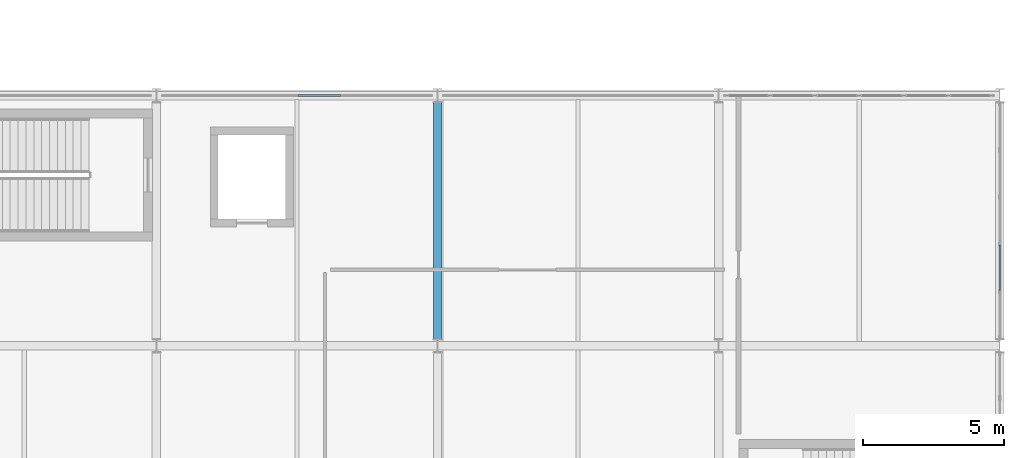
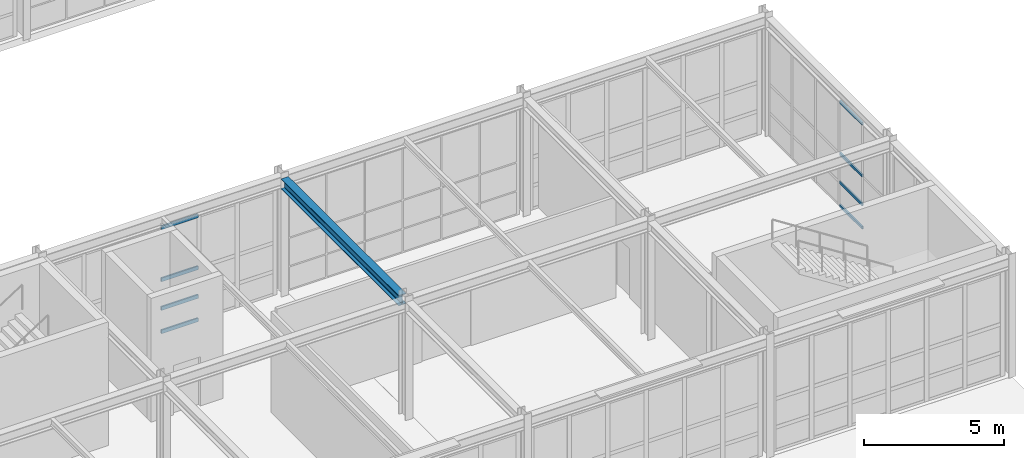
# One storey, part 104 of 210: 8 members, 1 beam, 2 elements without a shape of their own.
"""IFC4 building model written with IfcOpenShell, lengths in metres."""

from ifc_helpers import new_model, si_unit, direction, frame, origin, origin_2d, place, context, subcontext, project, spatial, hollow_rectangle, i_section, extrude, material, material_profile, profile_set, type_object, element, aggregate, save


model = new_model("IFC4")

# Units and contexts
model_context = context("Model", 3, precision=1e-05, world=origin(), true_north=direction((0.0, 1.0)))
body_context = subcontext(model_context, "Body", "Model", "MODEL_VIEW")
ifc_project = project(units=[si_unit("LENGTHUNIT", "METRE"), si_unit("AREAUNIT", "SQUARE_METRE"), si_unit("VOLUMEUNIT", "CUBIC_METRE"), si_unit("PLANEANGLEUNIT", "RADIAN"), si_unit("MASSUNIT", "GRAM", prefix="KILO")], contexts=[model_context])

# Site, building, storey
site_placement = place(None, origin())
site = spatial("IfcSite", under=ifc_project, at=site_placement, CompositionType="ELEMENT")
building_placement = place(site_placement, origin())
building = spatial("IfcBuilding", under=site, at=building_placement, Name="Kaldris Quays Convention Centre", CompositionType="ELEMENT")
storey_placement = place(building_placement, frame((0.0, 0.0, 6.0)))
storey = spatial("IfcBuildingStorey", under=building, at=storey_placement, Name="L01", CompositionType="ELEMENT", Elevation=6.0)

# Curtain wall, members
ifc_material_1 = material(Name="Anodized aluminium AW-6060 and triple glazing", Category="aluminium")
curtain_wall_type = type_object("IfcCurtainWallType", Name="UNITISED CURTAIN WALL CW02", PredefinedType="NOTDEFINED", material=ifc_material_1)
curtain_wall_1_placement = place(storey_placement, origin())
curtain_wall_1 = element("IfcCurtainWall", 1, at=curtain_wall_1_placement, inside=storey, type_object=curtain_wall_type, Name="L01 Unitised Curtain Wall CW02 198", PredefinedType="NOTDEFINED")
ifc_material_2 = material(Name="Anodized aluminium AW-6060", Category="aluminium")
ifc_material_profile_1 = material_profile(ifc_material_2, hollow_rectangle(XDim=0.06005859375, YDim=0.1201171875, WallThickness=0.00390625, at=origin_2d()), Name="RHS 120x60x4")
ifc_profile_set_1 = profile_set([ifc_material_profile_1], Name="Anodized aluminium AW-6060")
member_type_1 = type_object("IfcMemberType", Name="CURTAIN TRANSOM CWT1", PredefinedType="USERDEFINED", material=ifc_profile_set_1)
member_1_placement = place(storey_placement, frame((204.0, 30.4599609375, 0.030029296875), z_axis=(0.0, 1.0, 0.0), x_axis=(-1.0, 0.0, 0.0)))
member_1 = element("IfcMember", 2, at=member_1_placement, type_object=member_type_1, Name="CW02 transom 2.1", ObjectType="TRANSOM", PredefinedType="USERDEFINED", context=body_context, shape_type="SweptSolid", body=[
    extrude(hollow_rectangle(XDim=0.06005859375, YDim=0.1201171875, WallThickness=0.00390625, at=origin_2d()), origin(), (0.0, 0.0, 1.0), 1.6201171875),
])
member_2_placement = place(storey_placement, frame((204.0, 30.4599609375, 1.050048828125), z_axis=(0.0, 1.0, 0.0), x_axis=(-1.0, 0.0, 0.0)))
member_2 = element("IfcMember", 3, at=member_2_placement, type_object=member_type_1, Name="CW02 transom 2.2", ObjectType="TRANSOM", PredefinedType="USERDEFINED", context=body_context, shape_type="SweptSolid", body=[
    extrude(hollow_rectangle(XDim=0.06005859375, YDim=0.1201171875, WallThickness=0.00390625, at=origin_2d()), origin(), (0.0, 0.0, 1.0), 1.6201171875),
])
member_3_placement = place(storey_placement, frame((204.0, 30.4599609375, 2.300048828125), z_axis=(0.0, 1.0, 0.0), x_axis=(-1.0, 0.0, 0.0)))
member_3 = element("IfcMember", 4, at=member_3_placement, type_object=member_type_1, Name="CW02 transom 2.3", ObjectType="TRANSOM", PredefinedType="USERDEFINED", context=body_context, shape_type="SweptSolid", body=[
    extrude(hollow_rectangle(XDim=0.06005859375, YDim=0.1201171875, WallThickness=0.00390625, at=origin_2d()), origin(), (0.0, 0.0, 1.0), 1.6201171875),
])
member_4_placement = place(storey_placement, frame((204.0, 30.4599609375, 4.570068359375), z_axis=(0.0, 1.0, 0.0), x_axis=(-1.0, 0.0, 0.0)))
member_4 = element("IfcMember", 5, at=member_4_placement, type_object=member_type_1, Name="CW02 transom 2.4", ObjectType="TRANSOM", PredefinedType="USERDEFINED", context=body_context, shape_type="SweptSolid", body=[
    extrude(hollow_rectangle(XDim=0.06005859375, YDim=0.1201171875, WallThickness=0.00390625, at=origin_2d()), origin(), (0.0, 0.0, 1.0), 1.6201171875),
])
aggregate(curtain_wall_1, [member_1, member_2, member_3, member_4])

curtain_wall_2_placement = place(storey_placement, origin())
curtain_wall_2 = element("IfcCurtainWall", 6, at=curtain_wall_2_placement, inside=storey, type_object=curtain_wall_type, Name="L01 Unitised Curtain Wall CW02 190", PredefinedType="NOTDEFINED")
ifc_material_profile_2 = material_profile(ifc_material_2, hollow_rectangle(XDim=0.06005859375, YDim=0.159912109375, WallThickness=0.00390625, at=origin_2d()), Name="RHS 160x60x4")
ifc_profile_set_2 = profile_set([ifc_material_profile_2], Name="Anodized aluminium AW-6060")
member_type_2 = type_object("IfcMemberType", Name="CURTAIN TRANSOM CWT2", PredefinedType="USERDEFINED", material=ifc_profile_set_2)
member_5_placement = place(storey_placement, frame((179.030029296875, 37.39990234375, 0.030029296875), z_axis=(1.0, 0.0, 0.0), x_axis=(0.0, 1.0, 0.0)))
member_5 = element("IfcMember", 7, at=member_5_placement, type_object=member_type_2, Name="CW02 transom 4.1", ObjectType="TRANSOM", PredefinedType="USERDEFINED", context=body_context, shape_type="SweptSolid", body=[
    extrude(hollow_rectangle(XDim=0.06005859375, YDim=0.159912109375, WallThickness=0.00390625, at=origin_2d()), origin(), (0.0, 0.0, 1.0), 1.523193359375),
])
member_6_placement = place(storey_placement, frame((179.030029296875, 37.39990234375, 1.050048828125), z_axis=(1.0, 0.0, 0.0), x_axis=(0.0, 1.0, 0.0)))
member_6 = element("IfcMember", 8, at=member_6_placement, type_object=member_type_2, Name="CW02 transom 4.2", ObjectType="TRANSOM", PredefinedType="USERDEFINED", context=body_context, shape_type="SweptSolid", body=[
    extrude(hollow_rectangle(XDim=0.06005859375, YDim=0.159912109375, WallThickness=0.00390625, at=origin_2d()), origin(), (0.0, 0.0, 1.0), 1.523193359375),
])
member_7_placement = place(storey_placement, frame((179.030029296875, 37.39990234375, 2.300048828125), z_axis=(1.0, 0.0, 0.0), x_axis=(0.0, 1.0, 0.0)))
member_7 = element("IfcMember", 9, at=member_7_placement, type_object=member_type_2, Name="CW02 transom 4.3", ObjectType="TRANSOM", PredefinedType="USERDEFINED", context=body_context, shape_type="SweptSolid", body=[
    extrude(hollow_rectangle(XDim=0.06005859375, YDim=0.159912109375, WallThickness=0.00390625, at=origin_2d()), origin(), (0.0, 0.0, 1.0), 1.523193359375),
])
member_8_placement = place(storey_placement, frame((179.030029296875, 37.39990234375, 4.570068359375), z_axis=(1.0, 0.0, 0.0), x_axis=(0.0, 1.0, 0.0)))
member_8 = element("IfcMember", 10, at=member_8_placement, type_object=member_type_2, Name="CW02 transom 4.4", ObjectType="TRANSOM", PredefinedType="USERDEFINED", context=body_context, shape_type="SweptSolid", body=[
    extrude(hollow_rectangle(XDim=0.06005859375, YDim=0.159912109375, WallThickness=0.00390625, at=origin_2d()), origin(), (0.0, 0.0, 1.0), 1.523193359375),
])
aggregate(curtain_wall_2, [member_5, member_6, member_7, member_8])

# Beam
ifc_material_3 = material(Name="Steel S355J2", Category="steel")
ifc_material_profile_3 = material_profile(ifc_material_3, i_section(OverallWidth=0.300048828125, OverallDepth=0.449951171875, WebThickness=0.013916015625, FlangeThickness=0.02587890625, FilletRadius=0.027099609375, at=origin_2d()), Name="HEB 450")
ifc_profile_set_3 = profile_set([ifc_material_profile_3], Name="Steel S355J2")
beam_type = type_object("IfcBeamType", Name="STRUCTURAL BEAM BM07", PredefinedType="BEAM", material=ifc_profile_set_3)
beam_placement = place(storey_placement, frame((184.0, 28.743896484375, 4.93798828125), z_axis=(0.0, 1.0, 0.0), x_axis=(-1.0, 0.0, 0.0)))
element("IfcBeam", 11, at=beam_placement, inside=storey, type_object=beam_type, Name="L01 Girder BM07 23", PredefinedType="BEAM", context=body_context, shape_type="SweptSolid", body=[
    extrude(i_section(OverallWidth=0.300048828125, OverallDepth=0.449951171875, WebThickness=0.013916015625, FlangeThickness=0.02587890625, FilletRadius=0.027099609375, at=origin_2d()), origin(), (0.0, 0.0, 1.0), 8.412109375),
])

save(model, "model.ifc")
